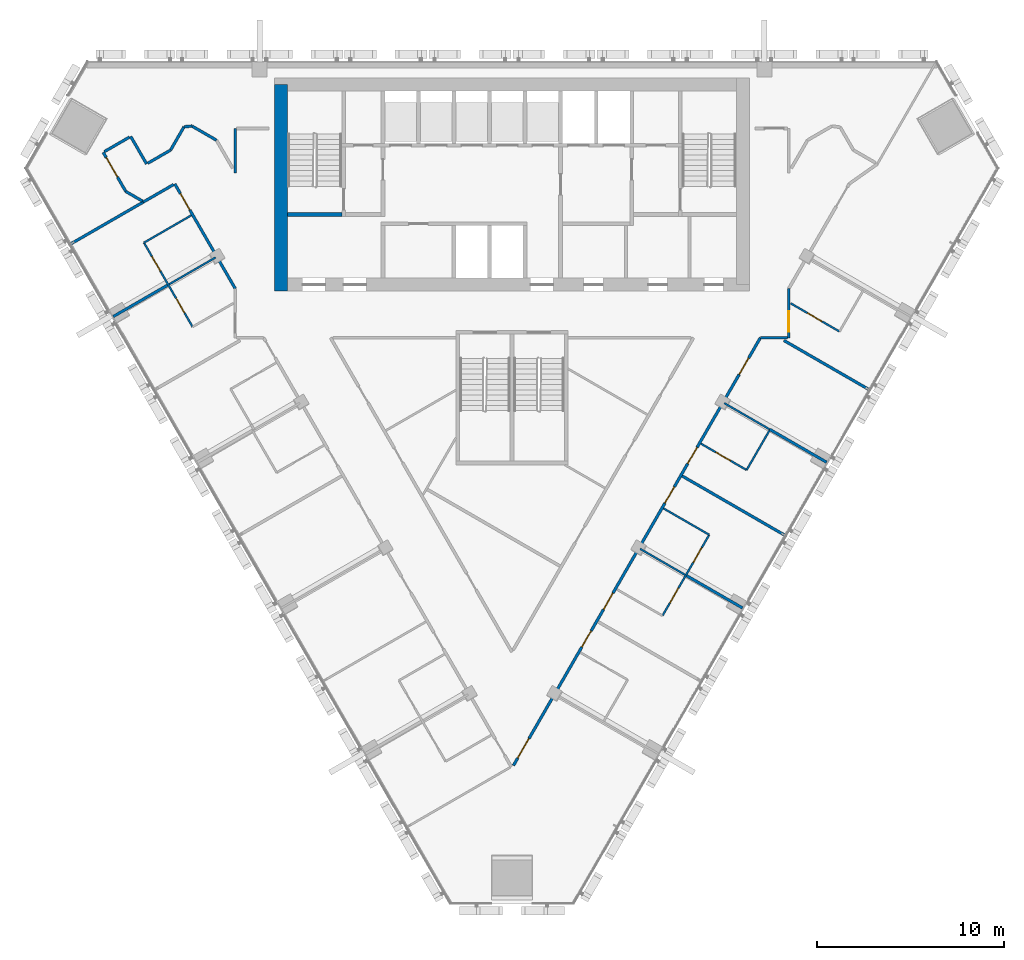
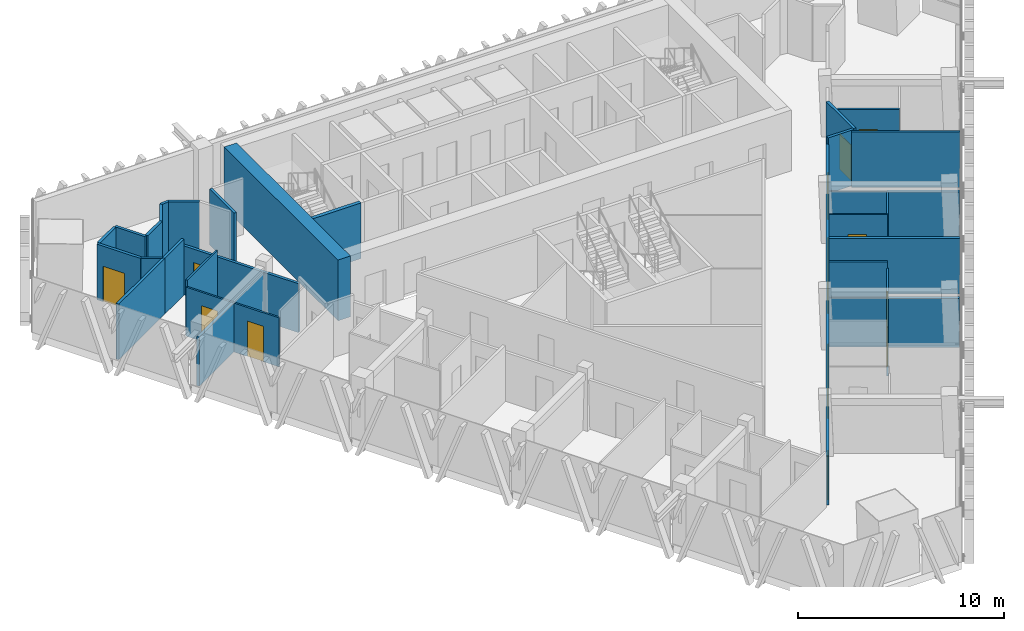
# One storey, part 9 of 15: 32 walls, 15 doors, 15 openings.
"""IFC4 building model written with IfcOpenShell, lengths in metres."""

from ifc_helpers import new_model, si_unit, direction, frame, frame_2d, origin, place, context, subcontext, project, spatial, rectangle, extrude, material, layer, layer_set, type_object, element, fill, save


model = new_model("IFC4")

# Units and contexts
model_context = context("Model", 3, precision=1e-05, world=origin(), true_north=direction((0.0, 1.0)))
body_context = subcontext(model_context, "Body", "Model", "MODEL_VIEW")
ifc_project = project(units=[si_unit("LENGTHUNIT", "METRE"), si_unit("AREAUNIT", "SQUARE_METRE"), si_unit("VOLUMEUNIT", "CUBIC_METRE"), si_unit("PLANEANGLEUNIT", "RADIAN"), si_unit("MASSUNIT", "GRAM", prefix="KILO")], contexts=[model_context])

# Site, building, storey
site_placement = place(None, origin())
site = spatial("IfcSite", under=ifc_project, at=site_placement, CompositionType="ELEMENT")
building_placement = place(site_placement, origin())
building = spatial("IfcBuilding", under=site, at=building_placement, Name="Altiplano Prism Tower", CompositionType="ELEMENT")
storey_placement = place(building_placement, frame((0.0, 0.0, 185.39990234375)))
storey = spatial("IfcBuildingStorey", under=building, at=storey_placement, Name="L48", CompositionType="ELEMENT", Elevation=185.39990234375)

# Wall
ifc_material_1 = material(Name="Concrete C60/75", Category="concrete")
ifc_layer_1 = layer(ifc_material_1, 0.699951171875)
ifc_layer_set_1 = layer_set([ifc_layer_1], Name="Concrete C60/75")
wall_type_1 = type_object("IfcWallType", Name="Core wall 700", PredefinedType="SHEAR", material=ifc_layer_set_1)
wall_1_placement = place(storey_placement, frame((72.64990234375, 103.75, 0.0), z_axis=(0.0, 0.0, 1.0), x_axis=(0.0, -1.0, 0.0)))
element("IfcWall", 1, at=wall_1_placement, inside=storey, type_object=wall_type_1, Name="Core wall W L48", PredefinedType="SHEAR", context=body_context, shape_type="SweptSolid", body=[
    extrude(rectangle(XDim=11.050048828125, YDim=0.699951171875, at=frame_2d((5.52490234375, 0.0))), origin(), (0.0, 0.0, 1.0), 3.60009765625),
])

# Wall, openings, doors
ifc_material_2 = material(Name="Plasterboard on steel stud", Category="steel")
ifc_layer_2 = layer(ifc_material_2, 0.10009765625)
ifc_layer_set_2 = layer_set([ifc_layer_2], Name="Plasterboard on steel stud")
wall_type_2 = type_object("IfcWallType", Name="Partition 100 unit", PredefinedType="PARTITIONING", material=ifc_layer_set_2)
wall_2_placement = place(storey_placement, frame((67.9140625, 90.78564453125, 0.0), z_axis=(0.0, 0.0, 1.0), x_axis=(-0.499971721724, 0.866041729639, 0.0)))
wall_2 = element("IfcWall", 2, at=wall_2_placement, inside=storey, type_object=wall_type_2, Name="Partition P02 L48 038", PredefinedType="PARTITIONING", context=body_context, shape_type="SweptSolid", body=[
    extrude(rectangle(XDim=5.199951171875, YDim=0.10009765625, at=frame_2d((2.60009765625, 0.0))), origin(), (0.0, 0.0, 1.0), 2.900146484375),
])
opening_1_placement = place(wall_2_placement, frame((3.449951171875, 0.0, 0.0)))
opening_1 = element("IfcOpeningElement", 3, at=opening_1_placement, cuts=wall_2, Name="Opening D1694", PredefinedType="OPENING", context=body_context, shape_type="SweptSolid", body=[
    extrude(rectangle(XDim=0.89990234375, YDim=2.10009765625, at=frame_2d((0.449951171875, 1.050048828125))), frame((0.0, 0.060546875, 0.0), z_axis=(0.0, -1.0, 0.0), x_axis=(1.0, 0.0, 0.0)), (0.0, 0.0, 1.0), 0.12109375),
])
opening_2_placement = place(wall_2_placement, frame((0.865966796875, 0.0, 0.0)))
opening_2 = element("IfcOpeningElement", 4, at=opening_2_placement, cuts=wall_2, Name="Opening D1696", PredefinedType="OPENING", context=body_context, shape_type="SweptSolid", body=[
    extrude(rectangle(XDim=0.89990234375, YDim=2.10009765625, at=frame_2d((0.449951171875, 1.050048828125))), frame((0.0, 0.060546875, 0.0), z_axis=(0.0, -1.0, 0.0), x_axis=(1.0, 0.0, 0.0)), (0.0, 0.0, 1.0), 0.12109375),
])
ifc_material_3 = material(Name="Timber", Category="wood")
door_type_1 = type_object("IfcDoorType", Name="Ensuite door 900 x 2100", OperationType="NOTDEFINED", PredefinedType="NOTDEFINED", material=ifc_material_3)
door_1_placement = place(opening_1_placement, origin())
door_1 = element("IfcDoor", 5, at=door_1_placement, inside=storey, type_object=door_type_1, Name="Door D1694", OperationType="SINGLE_SWING_LEFT", OverallHeight=2.10009765625, OverallWidth=0.89990234375, PredefinedType="NOTDEFINED", context=body_context, shape_type="SweptSolid", body=[
    extrude(rectangle(XDim=0.89990234375, YDim=2.10009765625, at=frame_2d((0.449951171875, 1.050048828125))), frame((0.0, 0.02490234375, 0.0), z_axis=(0.0, -1.0, 0.0), x_axis=(1.0, 0.0, 0.0)), (0.0, 0.0, 1.0), 0.050048828125),
])
fill(opening_1, door_1)
door_2_placement = place(opening_2_placement, origin())
door_2 = element("IfcDoor", 6, at=door_2_placement, inside=storey, type_object=door_type_1, Name="Door D1696", OperationType="SINGLE_SWING_LEFT", OverallHeight=2.10009765625, OverallWidth=0.89990234375, PredefinedType="NOTDEFINED", context=body_context, shape_type="SweptSolid", body=[
    extrude(rectangle(XDim=0.89990234375, YDim=2.10009765625, at=frame_2d((0.449951171875, 1.050048828125))), frame((0.0, 0.02490234375, 0.0), z_axis=(0.0, -1.0, 0.0), x_axis=(1.0, 0.0, 0.0)), (0.0, 0.0, 1.0), 0.050048828125),
])
fill(opening_2, door_2)

# Walls
wall_3_placement = place(storey_placement, frame((65.314208984375, 95.2890625, 0.0), z_axis=(0.0, 0.0, 1.0), x_axis=(0.866025730634, 0.499999433879, 0.0)))
element("IfcWall", 7, at=wall_3_placement, inside=storey, type_object=wall_type_2, Name="Partition P02 L48 039", PredefinedType="PARTITIONING", context=body_context, shape_type="SweptSolid", body=[
    extrude(rectangle(XDim=2.9248046875, YDim=0.10009765625, at=frame_2d((1.46240234375, 0.0))), origin(), (0.0, 0.0, 1.0), 3.300048828125),
])
wall_4_placement = place(storey_placement, frame((93.102783203125, 81.076416015625, 0.0), z_axis=(0.0, 0.0, 1.0), x_axis=(0.866048868473, -0.499959355765, 0.0)))
element("IfcWall", 8, at=wall_4_placement, inside=storey, type_object=wall_type_2, Name="Partition P02 L48 068", PredefinedType="PARTITIONING", context=body_context, shape_type="SweptSolid", body=[
    extrude(rectangle(XDim=2.824951171875, YDim=0.10009765625, at=frame_2d((1.41259765625, 0.0))), origin(), (0.0, 0.0, 1.0), 3.300048828125),
])

# Wall, openings, doors
wall_5_placement = place(storey_placement, frame((95.54931640625, 79.6640625, 0.0), z_axis=(0.0, 0.0, 1.0), x_axis=(-0.499983091616, -0.866035165624, 0.0)))
wall_5 = element("IfcWall", 9, at=wall_5_placement, inside=storey, type_object=wall_type_2, Name="Partition P02 L48 069", PredefinedType="PARTITIONING", context=body_context, shape_type="SweptSolid", body=[
    extrude(rectangle(XDim=5.000244140625, YDim=0.10009765625, at=frame_2d((2.5, 0.0))), origin(), (0.0, 0.0, 1.0), 2.900146484375),
])
opening_3_placement = place(wall_5_placement, frame((3.300048828125, 0.0, 0.0)))
opening_3 = element("IfcOpeningElement", 10, at=opening_3_placement, cuts=wall_5, Name="Opening D1711", PredefinedType="OPENING", context=body_context, shape_type="SweptSolid", body=[
    extrude(rectangle(XDim=0.89990234375, YDim=2.10009765625, at=frame_2d((0.449951171875, 1.050048828125))), frame((0.0, 0.060546875, 0.0), z_axis=(0.0, -1.0, 0.0), x_axis=(1.0, 0.0, 0.0)), (0.0, 0.0, 1.0), 0.12109375),
])
opening_4_placement = place(wall_5_placement, frame((0.800048828125, 0.0, 0.0)))
opening_4 = element("IfcOpeningElement", 11, at=opening_4_placement, cuts=wall_5, Name="Opening D1713", PredefinedType="OPENING", context=body_context, shape_type="SweptSolid", body=[
    extrude(rectangle(XDim=0.89990234375, YDim=2.10009765625, at=frame_2d((0.449951171875, 1.050048828125))), frame((0.0, 0.060546875, 0.0), z_axis=(0.0, -1.0, 0.0), x_axis=(1.0, 0.0, 0.0)), (0.0, 0.0, 1.0), 0.12109375),
])
door_3_placement = place(opening_3_placement, origin())
door_3 = element("IfcDoor", 12, at=door_3_placement, inside=storey, type_object=door_type_1, Name="Door D1711", OperationType="SINGLE_SWING_RIGHT", OverallHeight=2.10009765625, OverallWidth=0.89990234375, PredefinedType="NOTDEFINED", context=body_context, shape_type="SweptSolid", body=[
    extrude(rectangle(XDim=0.89990234375, YDim=2.10009765625, at=frame_2d((0.449951171875, 1.050048828125))), frame((0.0, 0.02490234375, 0.0), z_axis=(0.0, -1.0, 0.0), x_axis=(1.0, 0.0, 0.0)), (0.0, 0.0, 1.0), 0.050048828125),
])
fill(opening_3, door_3)
door_4_placement = place(opening_4_placement, origin())
door_4 = element("IfcDoor", 13, at=door_4_placement, inside=storey, type_object=door_type_1, Name="Door D1713", OperationType="SINGLE_SWING_LEFT", OverallHeight=2.10009765625, OverallWidth=0.89990234375, PredefinedType="NOTDEFINED", context=body_context, shape_type="SweptSolid", body=[
    extrude(rectangle(XDim=0.89990234375, YDim=2.10009765625, at=frame_2d((0.449951171875, 1.050048828125))), frame((0.0, 0.02490234375, 0.0), z_axis=(0.0, -1.0, 0.0), x_axis=(1.0, 0.0, 0.0)), (0.0, 0.0, 1.0), 0.050048828125),
])
fill(opening_4, door_4)

# Wall
wall_6_placement = place(storey_placement, frame((98.76171875, 85.228271484375, 0.0), z_axis=(0.0, 0.0, 1.0), x_axis=(-0.499972286653, -0.866041403502, 0.0)))
element("IfcWall", 14, at=wall_6_placement, inside=storey, type_object=wall_type_2, Name="Partition P02 L48 071", PredefinedType="PARTITIONING", context=body_context, shape_type="SweptSolid", body=[
    extrude(rectangle(XDim=2.425048828125, YDim=0.10009765625, at=frame_2d((1.21240234375, 0.0))), origin(), (0.0, 0.0, 1.0), 2.900146484375),
])

# Wall, opening, door
wall_7_placement = place(storey_placement, frame((97.54931640625, 83.128173828125, 0.0), z_axis=(0.0, 0.0, 1.0), x_axis=(-0.866048868473, 0.499959355765, 0.0)))
wall_7 = element("IfcWall", 15, at=wall_7_placement, inside=storey, type_object=wall_type_2, Name="Partition P02 L48 072", PredefinedType="PARTITIONING", context=body_context, shape_type="SweptSolid", body=[
    extrude(rectangle(XDim=2.824951171875, YDim=0.10009765625, at=frame_2d((1.41259765625, 0.0))), origin(), (0.0, 0.0, 1.0), 3.300048828125),
])
opening_5_placement = place(wall_7_placement, frame((1.0, 0.0, 0.0)))
opening_5 = element("IfcOpeningElement", 16, at=opening_5_placement, cuts=wall_7, Name="Opening D1715", PredefinedType="OPENING", context=body_context, shape_type="SweptSolid", body=[
    extrude(rectangle(XDim=0.89990234375, YDim=2.10009765625, at=frame_2d((0.449951171875, 1.050048828125))), frame((0.0, 0.060546875, 0.0), z_axis=(0.0, -1.0, 0.0), x_axis=(1.0, 0.0, 0.0)), (0.0, 0.0, 1.0), 0.12109375),
])
door_5_placement = place(opening_5_placement, origin())
door_5 = element("IfcDoor", 17, at=door_5_placement, inside=storey, type_object=door_type_1, Name="Door D1715", OperationType="SINGLE_SWING_LEFT", OverallHeight=2.10009765625, OverallWidth=0.89990234375, PredefinedType="NOTDEFINED", context=body_context, shape_type="SweptSolid", body=[
    extrude(rectangle(XDim=0.89990234375, YDim=2.10009765625, at=frame_2d((0.449951171875, 1.050048828125))), frame((0.0, 0.02490234375, 0.0), z_axis=(0.0, -1.0, 0.0), x_axis=(1.0, 0.0, 0.0)), (0.0, 0.0, 1.0), 0.050048828125),
])
fill(opening_5, door_5)

wall_8_placement = place(storey_placement, frame((102.518798828125, 90.53564453125, 0.0), z_axis=(0.0, 0.0, 1.0), x_axis=(-0.865998706869, 0.500046237564, 0.0)))
wall_8 = element("IfcWall", 18, at=wall_8_placement, inside=storey, type_object=wall_type_2, Name="Partition P02 L48 077", PredefinedType="PARTITIONING", context=body_context, shape_type="SweptSolid", body=[
    extrude(rectangle(XDim=3.024169921875, YDim=0.10009765625, at=frame_2d((1.51220703125, 0.0))), origin(), (0.0, 0.0, 1.0), 3.300048828125),
])
opening_6_placement = place(wall_8_placement, frame((1.080078125, 0.0, 0.0)))
opening_6 = element("IfcOpeningElement", 19, at=opening_6_placement, cuts=wall_8, Name="Opening D1718", PredefinedType="OPENING", context=body_context, shape_type="SweptSolid", body=[
    extrude(rectangle(XDim=0.89990234375, YDim=2.10009765625, at=frame_2d((0.449951171875, 1.050048828125))), frame((0.0, 0.060546875, 0.0), z_axis=(0.0, -1.0, 0.0), x_axis=(1.0, 0.0, 0.0)), (0.0, 0.0, 1.0), 0.12109375),
])
door_type_2 = type_object("IfcDoorType", Name="Accessible ensuite door 900 x 2100", OperationType="NOTDEFINED", PredefinedType="NOTDEFINED", material=ifc_material_3)
door_6_placement = place(opening_6_placement, origin())
door_6 = element("IfcDoor", 20, at=door_6_placement, inside=storey, type_object=door_type_2, Name="Door D1718", OperationType="SINGLE_SWING_LEFT", OverallHeight=2.10009765625, OverallWidth=0.89990234375, PredefinedType="NOTDEFINED", context=body_context, shape_type="SweptSolid", body=[
    extrude(rectangle(XDim=0.89990234375, YDim=2.10009765625, at=frame_2d((0.449951171875, 1.050048828125))), frame((0.0, 0.02490234375, 0.0), z_axis=(0.0, -1.0, 0.0), x_axis=(1.0, 0.0, 0.0)), (0.0, 0.0, 1.0), 0.050048828125),
])
fill(opening_6, door_6)

# Walls
ifc_layer_3 = layer(ifc_material_2, 0.10009765625)
ifc_layer_set_3 = layer_set([ifc_layer_3], Name="Plasterboard on steel stud")
wall_type_3 = type_object("IfcWallType", Name="Partition 100 wet", PredefinedType="PARTITIONING", material=ifc_layer_set_3)
wall_9_placement = place(storey_placement, frame((66.657470703125, 93.062255859375, 0.0), z_axis=(0.0, 0.0, 1.0), x_axis=(0.866018712932, 0.500011588718, 0.0)))
element("IfcWall", 21, at=wall_9_placement, inside=storey, type_object=wall_type_3, Name="Partition P03 L48 042", PredefinedType="PARTITIONING", context=body_context, shape_type="SweptSolid", body=[
    extrude(rectangle(XDim=2.875, YDim=0.10009765625, at=frame_2d((1.4375, 0.0))), origin(), (0.0, 0.0, 1.0), 2.900146484375),
])
wall_10_placement = place(storey_placement, frame((94.256103515625, 77.52392578125, 0.0), z_axis=(0.0, 0.0, 1.0), x_axis=(-0.866042014628, 0.499971228071, 0.0)))
element("IfcWall", 22, at=wall_10_placement, inside=storey, type_object=wall_type_3, Name="Partition P03 L48 067", PredefinedType="PARTITIONING", context=body_context, shape_type="SweptSolid", body=[
    extrude(rectangle(XDim=2.775146484375, YDim=0.10009765625, at=frame_2d((1.3876953125, 0.0))), origin(), (0.0, 0.0, 1.0), 2.900146484375),
])
wall_11_placement = place(storey_placement, frame((98.781982421875, 85.30322265625, 0.0), z_axis=(0.0, 0.0, 1.0), x_axis=(-0.866049342339, 0.499958534914, 0.0)))
element("IfcWall", 23, at=wall_11_placement, inside=storey, type_object=wall_type_3, Name="Partition P03 L48 074", PredefinedType="PARTITIONING", context=body_context, shape_type="SweptSolid", body=[
    extrude(rectangle(XDim=2.804931640625, YDim=0.10009765625, at=frame_2d((1.40234375, 0.0))), origin(), (0.0, 0.0, 1.0), 2.900146484375),
])
ifc_layer_4 = layer(ifc_material_2, 0.14990234375)
ifc_layer_set_4 = layer_set([ifc_layer_4], Name="Plasterboard on steel stud")
wall_type_4 = type_object("IfcWallType", Name="Partition 150 corridor", PredefinedType="PARTITIONING", material=ifc_layer_set_4)
wall_12_placement = place(storey_placement, frame((65.280029296875, 97.46337890625, 0.0), z_axis=(0.0, 0.0, 1.0), x_axis=(0.866046247233, 0.49996389635, 0.0)))
element("IfcWall", 24, at=wall_12_placement, inside=storey, type_object=wall_type_4, Name="Partition P06 L48 005", PredefinedType="PARTITIONING", context=body_context, shape_type="SweptSolid", body=[
    extrude(rectangle(XDim=1.867431640625, YDim=0.14990234375, at=frame_2d((0.93359375, 0.0))), origin(), (0.0, 0.0, 1.0), 3.300048828125),
])

# Wall, opening, door
wall_13_placement = place(storey_placement, frame((66.962158203125, 98.4345703125, 0.0), z_axis=(0.0, 0.0, 1.0), x_axis=(0.499991148707, -0.866030514021, 0.0)))
wall_13 = element("IfcWall", 25, at=wall_13_placement, inside=storey, type_object=wall_type_4, Name="Partition P06 L48 006", PredefinedType="PARTITIONING", context=body_context, shape_type="SweptSolid", body=[
    extrude(rectangle(XDim=6.4755859375, YDim=0.14990234375, at=frame_2d((3.23779296875, 0.0))), origin(), (0.0, 0.0, 1.0), 2.900146484375),
])
opening_7_placement = place(wall_13_placement, frame((0.60498046875, 0.0, 0.0)))
opening_7 = element("IfcOpeningElement", 26, at=opening_7_placement, cuts=wall_13, Name="Opening D1693", PredefinedType="OPENING", context=body_context, shape_type="SweptSolid", body=[
    extrude(rectangle(XDim=1.0, YDim=2.10009765625, at=frame_2d((0.5, 1.050048828125))), frame((0.0, 0.08544921875, 0.0), z_axis=(0.0, -1.0, 0.0), x_axis=(1.0, 0.0, 0.0)), (0.0, 0.0, 1.0), 0.1708984375),
])
door_type_3 = type_object("IfcDoorType", Name="Bedroom entrance door 1000 x 2100", OperationType="NOTDEFINED", PredefinedType="NOTDEFINED", material=ifc_material_3)
door_7_placement = place(opening_7_placement, origin())
door_7 = element("IfcDoor", 27, at=door_7_placement, inside=storey, type_object=door_type_3, Name="Door D1693", OperationType="SINGLE_SWING_RIGHT", OverallHeight=2.10009765625, OverallWidth=1.0, PredefinedType="NOTDEFINED", context=body_context, shape_type="SweptSolid", body=[
    extrude(rectangle(XDim=1.0, YDim=2.10009765625, at=frame_2d((0.5, 1.050048828125))), frame((0.0, 0.02490234375, 0.0), z_axis=(0.0, -1.0, 0.0), x_axis=(1.0, 0.0, 0.0)), (0.0, 0.0, 1.0), 0.050048828125),
])
fill(opening_7, door_7)

# Wall, openings, doors
wall_14_placement = place(storey_placement, frame((85.07568359375, 67.322998046875, 0.0), z_axis=(0.0, 0.0, 1.0), x_axis=(0.499999794657, 0.866025522339, 0.0)))
wall_14 = element("IfcWall", 28, at=wall_14_placement, inside=storey, type_object=wall_type_4, Name="Partition P06 L48 010", PredefinedType="PARTITIONING", context=body_context, shape_type="SweptSolid", body=[
    extrude(rectangle(XDim=26.416015625, YDim=0.14990234375, at=frame_2d((13.2080078125, 0.0))), origin(), (0.0, 0.0, 1.0), 2.900146484375),
])
opening_8_placement = place(wall_14_placement, frame((0.45703125, 0.0, 0.0)))
opening_8 = element("IfcOpeningElement", 29, at=opening_8_placement, cuts=wall_14, Name="Opening D1707", PredefinedType="OPENING", context=body_context, shape_type="SweptSolid", body=[
    extrude(rectangle(XDim=1.199951171875, YDim=2.10009765625, at=frame_2d((0.60009765625, 1.050048828125))), frame((0.0, 0.08544921875, 0.0), z_axis=(0.0, -1.0, 0.0), x_axis=(1.0, 0.0, 0.0)), (0.0, 0.0, 1.0), 0.1708984375),
])
opening_9_placement = place(wall_14_placement, frame((7.320068359375, 0.0, 0.0)))
opening_9 = element("IfcOpeningElement", 30, at=opening_9_placement, cuts=wall_14, Name="Opening D1708", PredefinedType="OPENING", context=body_context, shape_type="SweptSolid", body=[
    extrude(rectangle(XDim=1.0, YDim=2.10009765625, at=frame_2d((0.5, 1.050048828125))), frame((0.0, 0.08544921875, 0.0), z_axis=(0.0, -1.0, 0.0), x_axis=(1.0, 0.0, 0.0)), (0.0, 0.0, 1.0), 0.1708984375),
])
opening_10_placement = place(wall_14_placement, frame((9.64501953125, 0.0, 0.0)))
opening_10 = element("IfcOpeningElement", 31, at=opening_10_placement, cuts=wall_14, Name="Opening D1710", PredefinedType="OPENING", context=body_context, shape_type="SweptSolid", body=[
    extrude(rectangle(XDim=1.0, YDim=2.10009765625, at=frame_2d((0.5, 1.050048828125))), frame((0.0, 0.08544921875, 0.0), z_axis=(0.0, -1.0, 0.0), x_axis=(1.0, 0.0, 0.0)), (0.0, 0.0, 1.0), 0.1708984375),
])
opening_11_placement = place(wall_14_placement, frame((16.2041015625, 0.0, 0.0)))
opening_11 = element("IfcOpeningElement", 32, at=opening_11_placement, cuts=wall_14, Name="Opening D1712", PredefinedType="OPENING", context=body_context, shape_type="SweptSolid", body=[
    extrude(rectangle(XDim=1.0, YDim=2.10009765625, at=frame_2d((0.5, 1.050048828125))), frame((0.0, 0.08544921875, 0.0), z_axis=(0.0, -1.0, 0.0), x_axis=(1.0, 0.0, 0.0)), (0.0, 0.0, 1.0), 0.1708984375),
])
opening_12_placement = place(wall_14_placement, frame((18.64501953125, 0.0, 0.0)))
opening_12 = element("IfcOpeningElement", 33, at=opening_12_placement, cuts=wall_14, Name="Opening D1714", PredefinedType="OPENING", context=body_context, shape_type="SweptSolid", body=[
    extrude(rectangle(XDim=1.0, YDim=2.10009765625, at=frame_2d((0.5, 1.050048828125))), frame((0.0, 0.08544921875, 0.0), z_axis=(0.0, -1.0, 0.0), x_axis=(1.0, 0.0, 0.0)), (0.0, 0.0, 1.0), 0.1708984375),
])
opening_13_placement = place(wall_14_placement, frame((24.157958984375, 0.0, 0.0)))
opening_13 = element("IfcOpeningElement", 34, at=opening_13_placement, cuts=wall_14, Name="Opening D1716", PredefinedType="OPENING", context=body_context, shape_type="SweptSolid", body=[
    extrude(rectangle(XDim=1.0, YDim=2.10009765625, at=frame_2d((0.5, 1.050048828125))), frame((0.0, 0.08544921875, 0.0), z_axis=(0.0, -1.0, 0.0), x_axis=(1.0, 0.0, 0.0)), (0.0, 0.0, 1.0), 0.1708984375),
])
door_8_placement = place(opening_9_placement, origin())
door_8 = element("IfcDoor", 35, at=door_8_placement, inside=storey, type_object=door_type_3, Name="Door D1708", OperationType="SINGLE_SWING_LEFT", OverallHeight=2.10009765625, OverallWidth=1.0, PredefinedType="NOTDEFINED", context=body_context, shape_type="SweptSolid", body=[
    extrude(rectangle(XDim=1.0, YDim=2.10009765625, at=frame_2d((0.5, 1.050048828125))), frame((0.0, 0.02490234375, 0.0), z_axis=(0.0, -1.0, 0.0), x_axis=(1.0, 0.0, 0.0)), (0.0, 0.0, 1.0), 0.050048828125),
])
fill(opening_9, door_8)
door_9_placement = place(opening_10_placement, origin())
door_9 = element("IfcDoor", 36, at=door_9_placement, inside=storey, type_object=door_type_3, Name="Door D1710", OperationType="SINGLE_SWING_LEFT", OverallHeight=2.10009765625, OverallWidth=1.0, PredefinedType="NOTDEFINED", context=body_context, shape_type="SweptSolid", body=[
    extrude(rectangle(XDim=1.0, YDim=2.10009765625, at=frame_2d((0.5, 1.050048828125))), frame((0.0, 0.02490234375, 0.0), z_axis=(0.0, -1.0, 0.0), x_axis=(1.0, 0.0, 0.0)), (0.0, 0.0, 1.0), 0.050048828125),
])
fill(opening_10, door_9)
door_10_placement = place(opening_11_placement, origin())
door_10 = element("IfcDoor", 37, at=door_10_placement, inside=storey, type_object=door_type_3, Name="Door D1712", OperationType="SINGLE_SWING_RIGHT", OverallHeight=2.10009765625, OverallWidth=1.0, PredefinedType="NOTDEFINED", context=body_context, shape_type="SweptSolid", body=[
    extrude(rectangle(XDim=1.0, YDim=2.10009765625, at=frame_2d((0.5, 1.050048828125))), frame((0.0, 0.02490234375, 0.0), z_axis=(0.0, -1.0, 0.0), x_axis=(1.0, 0.0, 0.0)), (0.0, 0.0, 1.0), 0.050048828125),
])
fill(opening_11, door_10)
door_11_placement = place(opening_12_placement, origin())
door_11 = element("IfcDoor", 38, at=door_11_placement, inside=storey, type_object=door_type_3, Name="Door D1714", OperationType="SINGLE_SWING_RIGHT", OverallHeight=2.10009765625, OverallWidth=1.0, PredefinedType="NOTDEFINED", context=body_context, shape_type="SweptSolid", body=[
    extrude(rectangle(XDim=1.0, YDim=2.10009765625, at=frame_2d((0.5, 1.050048828125))), frame((0.0, 0.02490234375, 0.0), z_axis=(0.0, -1.0, 0.0), x_axis=(1.0, 0.0, 0.0)), (0.0, 0.0, 1.0), 0.050048828125),
])
fill(opening_12, door_11)
door_type_4 = type_object("IfcDoorType", Name="Room door 1000 x 2100", OperationType="NOTDEFINED", PredefinedType="NOTDEFINED", material=ifc_material_3)
door_12_placement = place(opening_13_placement, origin())
door_12 = element("IfcDoor", 39, at=door_12_placement, inside=storey, type_object=door_type_4, Name="Door D1716", OperationType="SINGLE_SWING_LEFT", OverallHeight=2.10009765625, OverallWidth=1.0, PredefinedType="NOTDEFINED", context=body_context, shape_type="SweptSolid", body=[
    extrude(rectangle(XDim=1.0, YDim=2.10009765625, at=frame_2d((0.5, 1.050048828125))), frame((0.0, 0.02490234375, 0.0), z_axis=(0.0, -1.0, 0.0), x_axis=(1.0, 0.0, 0.0)), (0.0, 0.0, 1.0), 0.050048828125),
])
fill(opening_13, door_12)
door_type_5 = type_object("IfcDoorType", Name="Shared room door 1200 x 2100", OperationType="NOTDEFINED", PredefinedType="NOTDEFINED", material=ifc_material_3)
door_13_placement = place(opening_8_placement, origin())
door_13 = element("IfcDoor", 40, at=door_13_placement, inside=storey, type_object=door_type_5, Name="Door D1707", OperationType="SINGLE_SWING_LEFT", OverallHeight=2.10009765625, OverallWidth=1.199951171875, PredefinedType="NOTDEFINED", context=body_context, shape_type="SweptSolid", body=[
    extrude(rectangle(XDim=1.199951171875, YDim=2.10009765625, at=frame_2d((0.60009765625, 1.050048828125))), frame((0.0, 0.02490234375, 0.0), z_axis=(0.0, -1.0, 0.0), x_axis=(1.0, 0.0, 0.0)), (0.0, 0.0, 1.0), 0.050048828125),
])
fill(opening_8, door_13)

# Wall
wall_15_placement = place(storey_placement, frame((98.28369140625, 90.199951171875, 0.0), z_axis=(0.0, 0.0, 1.0), x_axis=(1.0, 0.0, 0.0)))
element("IfcWall", 41, at=wall_15_placement, inside=storey, type_object=wall_type_4, Name="Partition P06 L48 011", PredefinedType="PARTITIONING", context=body_context, shape_type="SweptSolid", body=[
    extrude(rectangle(XDim=1.44140625, YDim=0.14990234375, at=frame_2d((0.720703125, 0.0))), origin(), (0.0, 0.0, 1.0), 3.300048828125),
])

# Wall, opening, door
wall_16_placement = place(storey_placement, frame((99.800048828125, 90.199951171875, 0.0), z_axis=(0.0, 0.0, 1.0), x_axis=(0.0, 1.0, 0.0)))
wall_16 = element("IfcWall", 42, at=wall_16_placement, inside=storey, type_object=wall_type_4, Name="Partition P06 L48 012", PredefinedType="PARTITIONING", context=body_context, shape_type="SweptSolid", body=[
    extrude(rectangle(XDim=2.62646484375, YDim=0.14990234375, at=frame_2d((1.313232421875, 0.0))), origin(), (0.0, 0.0, 1.0), 3.300048828125),
])
opening_14_placement = place(wall_16_placement, frame((0.3291015625, 0.0, 0.0)))
opening_14 = element("IfcOpeningElement", 43, at=opening_14_placement, cuts=wall_16, Name="Opening D1717", PredefinedType="OPENING", context=body_context, shape_type="SweptSolid", body=[
    extrude(rectangle(XDim=1.10009765625, YDim=2.10009765625, at=frame_2d((0.550048828125, 1.050048828125))), frame((0.0, 0.08544921875, 0.0), z_axis=(0.0, -1.0, 0.0), x_axis=(1.0, 0.0, 0.0)), (0.0, 0.0, 1.0), 0.1708984375),
])
door_type_6 = type_object("IfcDoorType", Name="Accessible bedroom door 1100 x 2100", OperationType="NOTDEFINED", PredefinedType="NOTDEFINED", material=ifc_material_3)
door_14_placement = place(opening_14_placement, origin())
door_14 = element("IfcDoor", 44, at=door_14_placement, inside=storey, type_object=door_type_6, Name="Door D1717", OperationType="SINGLE_SWING_RIGHT", OverallHeight=2.10009765625, OverallWidth=1.10009765625, PredefinedType="NOTDEFINED", context=body_context, shape_type="SweptSolid", body=[
    extrude(rectangle(XDim=1.10009765625, YDim=2.10009765625, at=frame_2d((0.550048828125, 1.050048828125))), frame((0.0, 0.02490234375, 0.0), z_axis=(0.0, -1.0, 0.0), x_axis=(1.0, 0.0, 0.0)), (0.0, 0.0, 1.0), 0.050048828125),
])
fill(opening_14, door_14)

# Walls
wall_17_placement = place(storey_placement, frame((70.199951171875, 101.39990234375, 0.0), z_axis=(0.0, 0.0, 1.0), x_axis=(0.0, -1.0, 0.0)))
element("IfcWall", 45, at=wall_17_placement, inside=storey, type_object=wall_type_4, Name="Partition P06 L48 023", PredefinedType="PARTITIONING", context=body_context, shape_type="SweptSolid", body=[
    extrude(rectangle(XDim=2.37353515625, YDim=0.14990234375, at=frame_2d((1.186767578125, 0.0))), origin(), (0.0, 0.0, 1.0), 3.300048828125),
])
wall_18_placement = place(storey_placement, frame((69.193603515625, 100.769287109375, 0.0), z_axis=(0.0, 0.0, 1.0), x_axis=(-0.865970650169, 0.500094824054, 0.0)))
element("IfcWall", 46, at=wall_18_placement, inside=storey, type_object=wall_type_4, Name="Partition P06 L48 025", PredefinedType="PARTITIONING", context=body_context, shape_type="SweptSolid", body=[
    extrude(rectangle(XDim=1.513427734375, YDim=0.14990234375, at=frame_2d((0.7568359375, 0.0))), origin(), (0.0, 0.0, 1.0), 3.300048828125),
])
wall_19_placement = place(storey_placement, frame((67.883056640625, 101.526123046875, 0.0), z_axis=(0.0, 0.0, 1.0), x_axis=(-0.996128379893, -0.087910470203, 0.0)))
element("IfcWall", 47, at=wall_19_placement, inside=storey, type_object=wall_type_4, Name="Partition P06 L48 026", PredefinedType="PARTITIONING", context=body_context, shape_type="SweptSolid", body=[
    extrude(rectangle(XDim=0.427734375, YDim=0.14990234375, at=frame_2d((0.2138671875, 0.0))), origin(), (0.0, 0.0, 1.0), 3.300048828125),
])
wall_20_placement = place(storey_placement, frame((67.45703125, 101.488525390625, 0.0), z_axis=(0.0, 0.0, 1.0), x_axis=(-0.4999813805, -0.866036153491, 0.0)))
element("IfcWall", 48, at=wall_20_placement, inside=storey, type_object=wall_type_4, Name="Partition P06 L48 027", PredefinedType="PARTITIONING", context=body_context, shape_type="SweptSolid", body=[
    extrude(rectangle(XDim=1.44189453125, YDim=0.14990234375, at=frame_2d((0.720947265625, 0.0))), origin(), (0.0, 0.0, 1.0), 3.300048828125),
])
wall_21_placement = place(storey_placement, frame((66.736083984375, 100.23974609375, 0.0), z_axis=(0.0, 0.0, 1.0), x_axis=(-0.866052428737, -0.499953188488, 0.0)))
element("IfcWall", 49, at=wall_21_placement, inside=storey, type_object=wall_type_4, Name="Partition P06 L48 028", PredefinedType="PARTITIONING", context=body_context, shape_type="SweptSolid", body=[
    extrude(rectangle(XDim=1.404541015625, YDim=0.14990234375, at=frame_2d((0.7021484375, 0.0))), origin(), (0.0, 0.0, 1.0), 3.300048828125),
])
wall_22_placement = place(storey_placement, frame((65.454833984375, 99.5, 0.0), z_axis=(0.0, 0.0, 1.0), x_axis=(-0.500045565072, 0.86599909518, 0.0)))
element("IfcWall", 50, at=wall_22_placement, inside=storey, type_object=wall_type_4, Name="Partition P06 L48 029", PredefinedType="PARTITIONING", context=body_context, shape_type="SweptSolid", body=[
    extrude(rectangle(XDim=1.700439453125, YDim=0.14990234375, at=frame_2d((0.85009765625, 0.0))), origin(), (0.0, 0.0, 1.0), 3.300048828125),
])
wall_23_placement = place(storey_placement, frame((64.53955078125, 100.93505859375, 0.0), z_axis=(0.0, 0.0, 1.0), x_axis=(-0.865868105756, -0.50027234926, 0.0)))
element("IfcWall", 51, at=wall_23_placement, inside=storey, type_object=wall_type_4, Name="Partition P06 L48 030", PredefinedType="PARTITIONING", context=body_context, shape_type="SweptSolid", body=[
    extrude(rectangle(XDim=1.550048828125, YDim=0.14990234375, at=frame_2d((0.77490234375, 0.0))), origin(), (0.0, 0.0, 1.0), 3.300048828125),
])

# Wall, opening, door
wall_24_placement = place(storey_placement, frame((63.132568359375, 100.122314453125, 0.0), z_axis=(0.0, 0.0, 1.0), x_axis=(0.500005054149, -0.86602248575, 0.0)))
wall_24 = element("IfcWall", 52, at=wall_24_placement, inside=storey, type_object=wall_type_4, Name="Partition P06 L48 031", PredefinedType="PARTITIONING", context=body_context, shape_type="SweptSolid", body=[
    extrude(rectangle(XDim=2.41796875, YDim=0.14990234375, at=frame_2d((1.208984375, 0.0))), origin(), (0.0, 0.0, 1.0), 3.300048828125),
])
opening_15_placement = place(wall_24_placement, frame((0.330078125, 0.0, 0.0)))
opening_15 = element("IfcOpeningElement", 53, at=opening_15_placement, cuts=wall_24, Name="Opening D1721", PredefinedType="OPENING", context=body_context, shape_type="SweptSolid", body=[
    extrude(rectangle(XDim=1.199951171875, YDim=2.10009765625, at=frame_2d((0.60009765625, 1.050048828125))), frame((0.0, 0.08544921875, 0.0), z_axis=(0.0, -1.0, 0.0), x_axis=(1.0, 0.0, 0.0)), (0.0, 0.0, 1.0), 0.1708984375),
])
door_15_placement = place(opening_15_placement, origin())
door_15 = element("IfcDoor", 54, at=door_15_placement, inside=storey, type_object=door_type_5, Name="Door D1721", OperationType="SINGLE_SWING_LEFT", OverallHeight=2.10009765625, OverallWidth=1.199951171875, PredefinedType="NOTDEFINED", context=body_context, shape_type="SweptSolid", body=[
    extrude(rectangle(XDim=1.199951171875, YDim=2.10009765625, at=frame_2d((0.60009765625, 1.050048828125))), frame((0.0, 0.02490234375, 0.0), z_axis=(0.0, -1.0, 0.0), x_axis=(1.0, 0.0, 0.0)), (0.0, 0.0, 1.0), 0.050048828125),
])
fill(opening_15, door_15)

# Walls
wall_25_placement = place(storey_placement, frame((64.341552734375, 98.0283203125, 0.0), z_axis=(0.0, 0.0, 1.0), x_axis=(0.865988239976, -0.50006436408, 0.0)))
element("IfcWall", 55, at=wall_25_placement, inside=storey, type_object=wall_type_4, Name="Partition P06 L48 032", PredefinedType="PARTITIONING", context=body_context, shape_type="SweptSolid", body=[
    extrude(rectangle(XDim=1.030029296875, YDim=0.14990234375, at=frame_2d((0.51513671875, 0.0))), origin(), (0.0, 0.0, 1.0), 3.300048828125),
])
ifc_layer_5 = layer(ifc_material_2, 0.14990234375)
ifc_layer_set_5 = layer_set([ifc_layer_5], Name="Plasterboard on steel stud")
wall_type_5 = type_object("IfcWallType", Name="Partition 150 party", PredefinedType="PARTITIONING", material=ifc_layer_set_5)
wall_26_placement = place(storey_placement, frame((63.669677734375, 91.33740234375, 0.0), z_axis=(0.0, 0.0, 1.0), x_axis=(0.866014461049, 0.500018952895, 0.0)))
element("IfcWall", 56, at=wall_26_placement, inside=storey, type_object=wall_type_5, Name="Partition P01 L48 040", PredefinedType="PARTITIONING", context=body_context, shape_type="SweptSolid", body=[
    extrude(rectangle(XDim=3.349853515625, YDim=0.14990234375, at=frame_2d((1.6748046875, 0.0))), origin(), (0.0, 0.0, 1.0), 2.900146484375),
])
wall_27_placement = place(storey_placement, frame((65.300048828125, 97.474853515625, 0.0), z_axis=(0.0, 0.0, 1.0), x_axis=(-0.866024802457, -0.500001041529, 0.0)))
element("IfcWall", 57, at=wall_27_placement, inside=storey, type_object=wall_type_5, Name="Partition P01 L48 041", PredefinedType="PARTITIONING", context=body_context, shape_type="SweptSolid", body=[
    extrude(rectangle(XDim=4.5009765625, YDim=0.14990234375, at=frame_2d((2.25048828125, 0.0))), origin(), (0.0, 0.0, 1.0), 3.300048828125),
])
wall_28_placement = place(storey_placement, frame((97.330322265625, 75.7490234375, 0.0), z_axis=(0.0, 0.0, 1.0), x_axis=(-0.866044174857, 0.499967486139, 0.0)))
element("IfcWall", 58, at=wall_28_placement, inside=storey, type_object=wall_type_5, Name="Partition P01 L48 066", PredefinedType="PARTITIONING", context=body_context, shape_type="SweptSolid", body=[
    extrude(rectangle(XDim=3.449951171875, YDim=0.14990234375, at=frame_2d((1.72509765625, 0.0))), origin(), (0.0, 0.0, 1.0), 2.900146484375),
])
wall_29_placement = place(storey_placement, frame((99.597900390625, 79.635986328125, 0.0), z_axis=(0.0, 0.0, 1.0), x_axis=(-0.866025401434, 0.500000004071, 0.0)))
element("IfcWall", 59, at=wall_29_placement, inside=storey, type_object=wall_type_5, Name="Partition P01 L48 070", PredefinedType="PARTITIONING", context=body_context, shape_type="SweptSolid", body=[
    extrude(rectangle(XDim=6.34521484375, YDim=0.14990234375, at=frame_2d((3.172607421875, 0.0))), origin(), (0.0, 0.0, 1.0), 3.300048828125),
])
wall_30_placement = place(storey_placement, frame((101.830322265625, 83.543212890625, 0.0), z_axis=(0.0, 0.0, 1.0), x_axis=(-0.866019260715, 0.500010639957, 0.0)))
element("IfcWall", 60, at=wall_30_placement, inside=storey, type_object=wall_type_5, Name="Partition P01 L48 073", PredefinedType="PARTITIONING", context=body_context, shape_type="SweptSolid", body=[
    extrude(rectangle(XDim=3.52001953125, YDim=0.14990234375, at=frame_2d((1.760009765625, 0.0))), origin(), (0.0, 0.0, 1.0), 2.900146484375),
])
wall_31_placement = place(storey_placement, frame((104.097900390625, 87.43017578125, 0.0), z_axis=(0.0, 0.0, 1.0), x_axis=(-0.86602945008, 0.499992991546, 0.0)))
element("IfcWall", 61, at=wall_31_placement, inside=storey, type_object=wall_type_5, Name="Partition P01 L48 075", PredefinedType="PARTITIONING", context=body_context, shape_type="SweptSolid", body=[
    extrude(rectangle(XDim=5.259765625, YDim=0.14990234375, at=frame_2d((2.6298828125, 0.0))), origin(), (0.0, 0.0, 1.0), 3.300048828125),
])
ifc_layer_6 = layer(ifc_material_1, 0.199951171875)
ifc_layer_set_6 = layer_set([ifc_layer_6], Name="Concrete C60/75")
wall_type_6 = type_object("IfcWallType", Name="Stair wall 200", PredefinedType="SOLIDWALL", material=ifc_layer_set_6)
wall_32_placement = place(storey_placement, frame((73.0, 96.800048828125, 0.0), z_axis=(0.0, 0.0, 1.0), x_axis=(1.0, 0.0, 0.0)))
element("IfcWall", 62, at=wall_32_placement, inside=storey, type_object=wall_type_6, Name="Stair wall L48", PredefinedType="SOLIDWALL", context=body_context, shape_type="SweptSolid", body=[
    extrude(rectangle(XDim=2.89990234375, YDim=0.199951171875, at=frame_2d((1.449951171875, 0.0))), origin(), (0.0, 0.0, 1.0), 3.300048828125),
])

save(model, "model.ifc")
